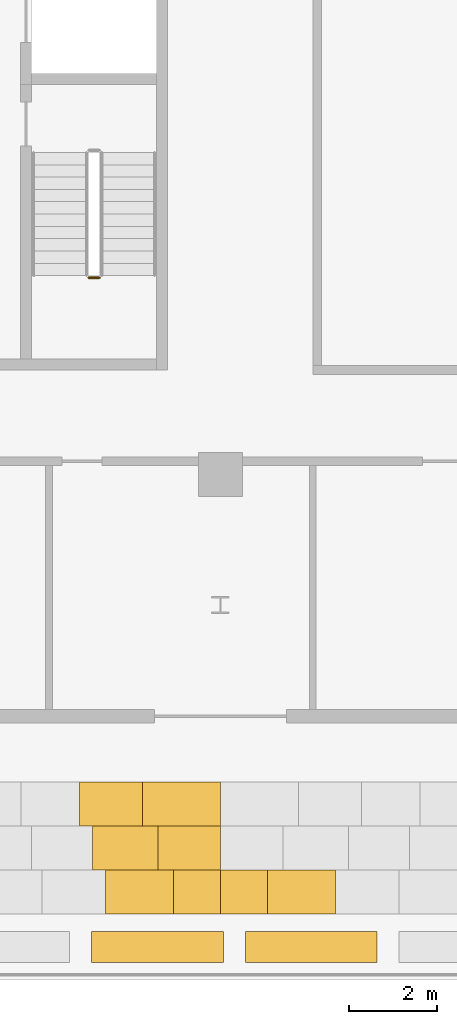
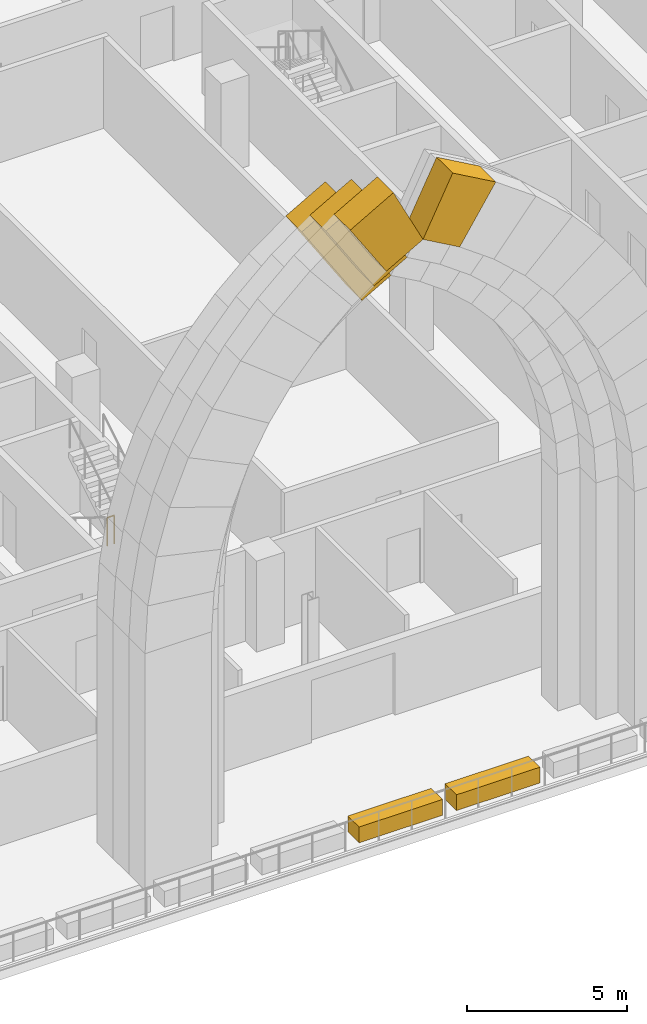
# One storey, part 23 of 30: 6 coverings, 1 railing.
"""IFC4 building model written with IfcOpenShell, lengths in metres."""

from ifc_helpers import new_model, si_unit, direction, frame, origin, origin_2d, place, context, subcontext, project, spatial, polyline, rectangle, circle, outline, extrude, material, layer, layer_set, type_object, element, save


model = new_model("IFC4")

# Units and contexts
model_context = context("Model", 3, precision=1e-05, world=origin(), true_north=direction((0.0, 1.0)))
body_context = subcontext(model_context, "Body", "Model", "MODEL_VIEW")
ifc_project = project(units=[si_unit("LENGTHUNIT", "METRE"), si_unit("AREAUNIT", "SQUARE_METRE"), si_unit("VOLUMEUNIT", "CUBIC_METRE"), si_unit("PLANEANGLEUNIT", "RADIAN"), si_unit("MASSUNIT", "GRAM", prefix="KILO")], contexts=[model_context])

# Site, building, storey
site_placement = place(None, origin())
site = spatial("IfcSite", under=ifc_project, at=site_placement, CompositionType="ELEMENT")
building_placement = place(site_placement, origin())
building = spatial("IfcBuilding", under=site, at=building_placement, Name="Mahtab Terrace Research Tower", CompositionType="ELEMENT")
storey_placement = place(building_placement, frame((0.0, 0.0, 228.60009765625)))
storey = spatial("IfcBuildingStorey", under=building, at=storey_placement, Name="L55", CompositionType="ELEMENT", Elevation=228.60009765625)

# Coverings
ifc_material_1 = material(Name="Glazed ceramic tile cladding", Category="masonry")
ifc_layer_1 = layer(ifc_material_1, 1.0)
ifc_layer_set_1 = layer_set([ifc_layer_1], Name="Iwan portal cladding arch course 800")
covering_type_1 = type_object("IfcCoveringType", Name="Iwan portal cladding arch course 800", PredefinedType="CLADDING", material=ifc_layer_set_1)
covering_1_placement = place(storey_placement, frame((2.7939453125, -18.5, 21.477783203125), z_axis=(0.0, 1.0, 0.0), x_axis=(0.869794590847, 0.0, 0.493413994261)))
element("IfcCovering", 1, at=covering_1_placement, inside=storey, type_object=covering_type_1, Name="Iwan portal arch course 6.1.1W10", PredefinedType="CLADDING", context=body_context, shape_type="SweptSolid", body=[
    extrude(outline(polyline([(0.0, 0.0), (1.641742235064569, 0.0), (1.4203970752426458, 3.9938084803416776), (0.22195658456401945, 3.994629026069135), (0.0, 0.0)])), origin(), (0.0, 0.0, -1.0), 1.0),
])
covering_2_placement = place(storey_placement, frame((3.087890625, -19.5, 22.015869140625), z_axis=(0.0, 1.0, 0.0), x_axis=(0.869861148787, 0.0, 0.493296646887)))
element("IfcCovering", 2, at=covering_2_placement, inside=storey, type_object=covering_type_1, Name="Iwan portal arch course 6.1.2W10", PredefinedType="CLADDING", context=body_context, shape_type="SweptSolid", body=[
    extrude(outline(polyline([(0.0, 0.0), (1.7129058315250214, 0.0), (1.5361802099128599, 3.1945197738608115), (0.1780020941093967, 3.1955702025409645), (0.0, 0.0)])), origin(), (0.0, 0.0, -1.0), 1.0),
])
covering_3_placement = place(storey_placement, frame((3.381103515625, -20.5, 22.553955078125), z_axis=(0.0, 1.0, 0.0), x_axis=(0.869687502505, 0.0, 0.493602722831)))
element("IfcCovering", 3, at=covering_3_placement, inside=storey, type_object=covering_type_1, Name="Iwan portal arch course 6.1.3W10", PredefinedType="CLADDING", context=body_context, shape_type="SweptSolid", body=[
    extrude(outline(polyline([(0.0, 0.0), (1.7845512884277677, 0.0), (1.6512184780505952, 2.3963652455645876), (0.13345151523531007, 2.3961922317308364), (0.0, 0.0)])), origin(), (0.0, 0.0, -1.0), 1.0),
])
covering_4_placement = place(storey_placement, frame((7.320068359375, -20.5, 20.535888671875), z_axis=(0.0, 1.0, 0.0), x_axis=(-0.869743763792, 0.0, 0.493503581896)))
element("IfcCovering", 4, at=covering_4_placement, inside=storey, type_object=covering_type_1, Name="Iwan portal arch course 6.1.3E10", PredefinedType="CLADDING", context=body_context, shape_type="SweptSolid", body=[
    extrude(outline(polyline([(0.0, 0.0), (1.5177669726764123, 0.0), (1.6508266148660575, 2.396380428916341), (-0.13372466196725086, 2.396177003709774), (0.0, 0.0)])), origin(), (0.0, 0.0, -1.0), 1.0),
])
ifc_material_2 = material(Name="Planting soil and shrubs")
ifc_layer_2 = layer(ifc_material_2, 0.1201171875)
ifc_layer_set_2 = layer_set([ifc_layer_2], Name="Planter")
covering_type_2 = type_object("IfcCoveringType", Name="Planter", PredefinedType="USERDEFINED", material=ifc_layer_set_2)
for number, where, z_axis, x_axis, name in (
    (5, (4.56591796875, -22.25, 0.02978515625), (0.0, 0.0, 1.0), (1.0, 0.0, 0.0), "PLANTER terrace 6"),
    (6, (8.06591796875, -22.25, 0.02978515625), (0.0, 0.0, 1.0), (1.0, 0.0, 0.0), "PLANTER terrace 6"),
):
    element("IfcCovering", number, at=place(storey_placement, frame(where, z_axis=z_axis, x_axis=x_axis)), inside=storey, type_object=covering_type_2, Name=name, ObjectType="PLANTER", PredefinedType="USERDEFINED", context=body_context, shape_type="SweptSolid", body=[
        extrude(rectangle(XDim=3.0, YDim=0.699951171875, at=origin_2d()), origin(), (0.0, 0.0, 1.0), 0.60009765625),
    ])

# Railing
ifc_material_3 = material(Name="Stainless steel AISI 304", Category="steel")
railing_type = type_object("IfcRailingType", Name="Stair guard 1100", PredefinedType="GUARDRAIL", material=ifc_material_3)
railing_placement = place(storey_placement, frame((3.0, -7.02490234375, 1.89990234375)))
element("IfcRailing", 7, at=railing_placement, inside=storey, type_object=railing_type, Name="L55 ST2 stair guard 2", PredefinedType="GUARDRAIL", context=body_context, shape_type="SweptSolid", body=[
    extrude(circle(Radius=0.02392578125, at=origin_2d()), frame((0.0, 0.0, 1.076171875), z_axis=(1.0, 0.0, 0.0), x_axis=(0.0, 1.0, 0.0)), (0.0, 0.0, 1.0), 0.25),
    extrude(circle(Radius=0.02099609375, at=origin_2d()), origin(), (0.0, 0.0, 1.0), 1.052001953125),
    extrude(circle(Radius=0.02099609375, at=origin_2d()), frame((0.25, 0.0, 0.0)), (0.0, 0.0, 1.0), 1.052001953125),
])

save(model, "model.ifc")
